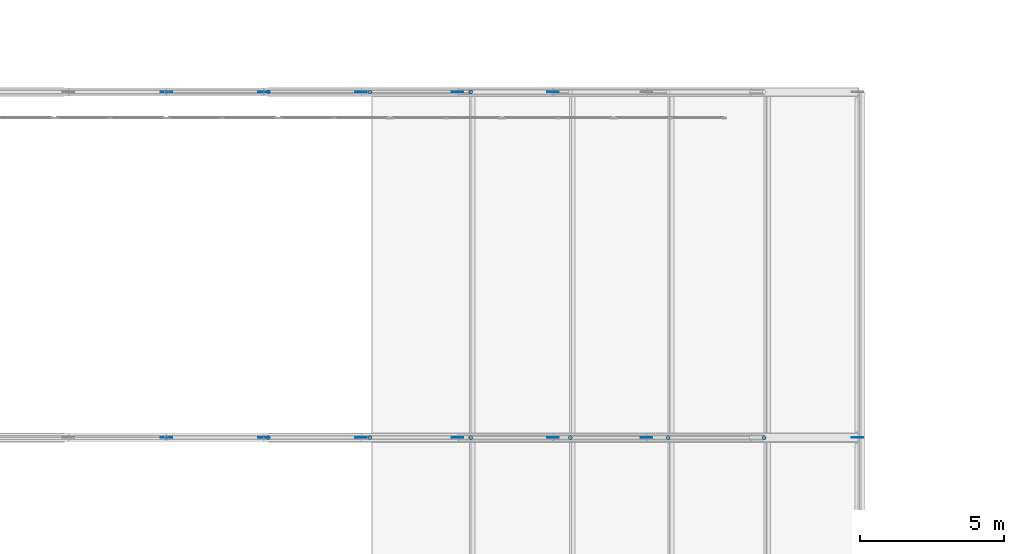
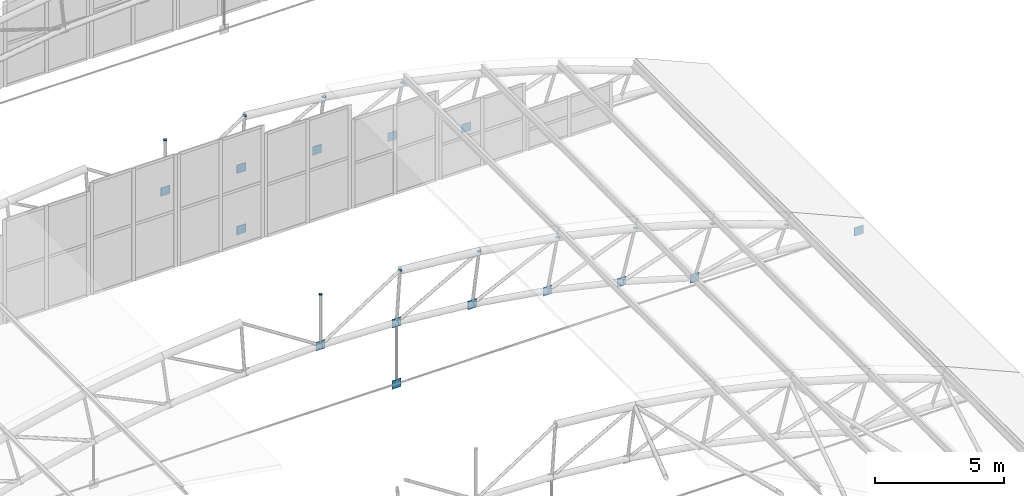
# One storey, part 291 of 321: 25 discrete accessories.
"""IFC4 building model written with IfcOpenShell, lengths in metres."""

from ifc_helpers import new_model, si_unit, direction, frame, origin, origin_2d, place, context, subcontext, project, spatial, rectangle, circle, extrude, material, material_profile, profile_set, type_object, element, save


model = new_model("IFC4")

# Units and contexts
model_context = context("Model", 3, precision=1e-05, world=origin(), true_north=direction((0.0, 1.0)))
body_context = subcontext(model_context, "Body", "Model", "MODEL_VIEW")
ifc_project = project(units=[si_unit("LENGTHUNIT", "METRE"), si_unit("AREAUNIT", "SQUARE_METRE"), si_unit("VOLUMEUNIT", "CUBIC_METRE"), si_unit("PLANEANGLEUNIT", "RADIAN"), si_unit("MASSUNIT", "GRAM", prefix="KILO")], contexts=[model_context])

# Site, building, storey
site_placement = place(None, origin())
site = spatial("IfcSite", under=ifc_project, at=site_placement, CompositionType="ELEMENT")
building_placement = place(site_placement, origin())
building = spatial("IfcBuilding", under=site, at=building_placement, Name="Ravi Spectrum Wholesale Market", CompositionType="ELEMENT")
storey_placement = place(building_placement, frame((0.0, 0.0, 10.800048828125)))
storey = spatial("IfcBuildingStorey", under=building, at=storey_placement, Name="L02", CompositionType="ELEMENT", Elevation=10.800048828125)

# Discrete accessories
ifc_material_1 = material(Name="Steel S355", Category="steel")
ifc_material_profile_1 = material_profile(ifc_material_1, circle(Radius=0.06982421875, at=origin_2d()))
ifc_profile_set_1 = profile_set([ifc_material_profile_1], Name="Steel S355")
discrete_accessory_type_1 = type_object("IfcDiscreteAccessoryType", Name="End plate CHS 139.7x5", PredefinedType="BRACKET", material=ifc_profile_set_1)
for number, where, z_axis, x_axis, name in (
    (1, (174.0, 114.0, 5.39990234375), (0.0, 0.0, 1.0), (1.0, 0.0, 0.0), "End plate"),
    (2, (177.540771484375, 114.0, 5.2880859375), (0.06111006328, 0.0, 0.998131033565), (0.0, 1.0, 0.0), "End plate"),
    (3, (181.0673828125, 114.0, 4.952392578125), (0.121541190452, 0.0, 0.992586388695), (0.0, 1.0, 0.0), "End plate"),
    (4, (184.565673828125, 114.0, 4.394775390625), (0.203954254112, 0.0, 0.978980419738), (0.0, 1.0, 0.0), "End plate"),
    (5, (188.02197265625, 114.0, 3.6171875), (0.247383245266, 0.0, 0.968917710624), (0.0, 1.0, 0.0), "End plate"),
    (6, (191.422119140625, 114.0, 2.62255859375), (0.304040173793, 0.0, 0.952659211219), (0.0, 1.0, 0.0), "End plate"),
    (7, (194.75244140625, 114.0, 1.415283203125), (0.364399348581, 0.0, 0.931242779706), (0.0, 1.0, 0.0), "End plate"),
    (8, (174.0, 126.0, 5.39990234375), (0.0, 0.0, 1.0), (1.0, 0.0, 0.0), "End plate"),
    (9, (177.540771484375, 126.0, 5.2880859375), (0.06111006328, 0.0, 0.998131033565), (0.0, 1.0, 0.0), "End plate"),
    (10, (181.0673828125, 126.0, 4.952392578125), (0.121541190452, 0.0, 0.992586388695), (0.0, 1.0, 0.0), "End plate"),
    (11, (184.565673828125, 126.0, 4.394775390625), (0.203954254112, 0.0, 0.978980419738), (0.0, 1.0, 0.0), "End plate"),
):
    element("IfcDiscreteAccessory", number, at=place(storey_placement, frame(where, z_axis=z_axis, x_axis=x_axis)), inside=storey, type_object=discrete_accessory_type_1, Name=name, PredefinedType="BRACKET", context=body_context, shape_type="SweptSolid", body=[
        extrude(circle(Radius=0.06982421875, at=origin_2d()), origin(), (0.0, 0.0, 1.0), 0.011962890625),
    ])
ifc_material_2 = material(Name="Steel S355", Category="steel")
ifc_material_profile_2 = material_profile(ifc_material_2, rectangle(XDim=0.39990234375, YDim=0.02001953125, at=origin_2d()))
ifc_profile_set_2 = profile_set([ifc_material_profile_2], Name="Steel S355")
discrete_accessory_type_2 = type_object("IfcDiscreteAccessoryType", Name="Gusset plate 400x400x20", PredefinedType="BRACKET", material=ifc_profile_set_2)
for number, where, z_axis, x_axis, name in (
    (12, (174.0, 114.0, 2.800048828125), (0.0, 0.0, 1.0), (1.0, 0.0, 0.0), "Gusset plate"),
    (13, (174.0, 126.0, 2.800048828125), (0.0, 0.0, 1.0), (1.0, 0.0, 0.0), "Gusset plate"),
    (14, (177.38916015625, 114.0, -0.199951171875), (0.0, 0.0, 1.0), (1.0, 0.0, 0.0), "Gusset plate"),
    (15, (177.38916015625, 114.0, 2.69287109375), (0.0, 0.0, 1.0), (-1.0, 0.0, 0.0), "Gusset plate"),
    (16, (177.38916015625, 126.0, -0.199951171875), (0.0, 0.0, 1.0), (1.0, 0.0, 0.0), "Gusset plate"),
    (17, (177.38916015625, 126.0, 2.69287109375), (0.0, 0.0, 1.0), (-1.0, 0.0, 0.0), "Gusset plate"),
):
    element("IfcDiscreteAccessory", number, at=place(storey_placement, frame(where, z_axis=z_axis, x_axis=x_axis)), inside=storey, type_object=discrete_accessory_type_2, Name=name, PredefinedType="BRACKET", context=body_context, shape_type="SweptSolid", body=[
        extrude(rectangle(XDim=0.39990234375, YDim=0.02001953125, at=origin_2d()), origin(), (0.0, 0.0, 1.0), 0.39990234375),
    ])
for number, where, z_axis, x_axis, name in (
    (18, (180.7646484375, 114.0, 2.37158203125), (0.0, 0.0, 1.0), (-1.0, 0.0, 0.0), "Gusset plate"),
    (19, (180.7646484375, 126.0, 2.37158203125), (0.0, 0.0, 1.0), (-1.0, 0.0, 0.0), "Gusset plate"),
):
    element("IfcDiscreteAccessory", number, at=place(storey_placement, frame(where, z_axis=z_axis, x_axis=x_axis)), inside=storey, type_object=discrete_accessory_type_2, Name=name, PredefinedType="BRACKET", context=body_context, shape_type="SweptSolid", body=[
        extrude(rectangle(XDim=0.39990234375, YDim=0.02001953125, at=origin_2d()), origin(), (0.0, 0.0, 1.0), 0.400146484375),
    ])
for number, where, z_axis, x_axis, name in (
    (20, (184.11328125, 114.0, 1.837890625), (0.0, 0.0, 1.0), (-1.0, 0.0, 0.0), "Gusset plate"),
    (21, (184.11328125, 126.0, 1.837890625), (0.0, 0.0, 1.0), (-1.0, 0.0, 0.0), "Gusset plate"),
    (22, (187.42138671875, 114.0, 1.093505859375), (0.0, 0.0, 1.0), (-1.0, 0.0, 0.0), "Gusset plate"),
    (23, (187.42138671875, 126.0, 1.093505859375), (0.0, 0.0, 1.0), (-1.0, 0.0, 0.0), "Gusset plate"),
):
    element("IfcDiscreteAccessory", number, at=place(storey_placement, frame(where, z_axis=z_axis, x_axis=x_axis)), inside=storey, type_object=discrete_accessory_type_2, Name=name, PredefinedType="BRACKET", context=body_context, shape_type="SweptSolid", body=[
        extrude(rectangle(XDim=0.39990234375, YDim=0.02001953125, at=origin_2d()), origin(), (0.0, 0.0, 1.0), 0.39990234375),
    ])
discrete_accessory_1_placement = place(storey_placement, frame((190.67578125, 114.0, 0.1416015625), z_axis=(0.0, 0.0, 1.0), x_axis=(-1.0, 0.0, 0.0)))
element("IfcDiscreteAccessory", 24, at=discrete_accessory_1_placement, inside=storey, type_object=discrete_accessory_type_2, Name="Gusset plate", PredefinedType="BRACKET", context=body_context, shape_type="SweptSolid", body=[
    extrude(rectangle(XDim=0.39990234375, YDim=0.02001953125, at=origin_2d()), origin(), (0.0, 0.0, 1.0), 0.400146484375),
])
discrete_accessory_2_placement = place(storey_placement, frame((198.0, 114.0, -0.199951171875), z_axis=(0.0, 0.0, 1.0), x_axis=(1.0, 0.0, 0.0)))
element("IfcDiscreteAccessory", 25, at=discrete_accessory_2_placement, inside=storey, type_object=discrete_accessory_type_2, Name="Gusset plate", PredefinedType="BRACKET", context=body_context, shape_type="SweptSolid", body=[
    extrude(rectangle(XDim=0.39990234375, YDim=0.02001953125, at=origin_2d()), origin(), (0.0, 0.0, 1.0), 0.39990234375),
])

save(model, "model.ifc")
